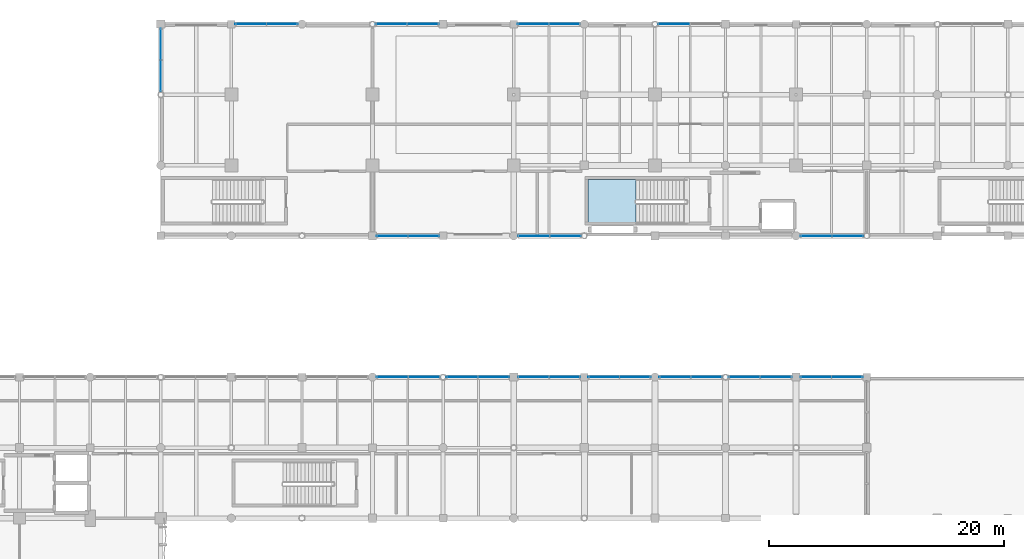
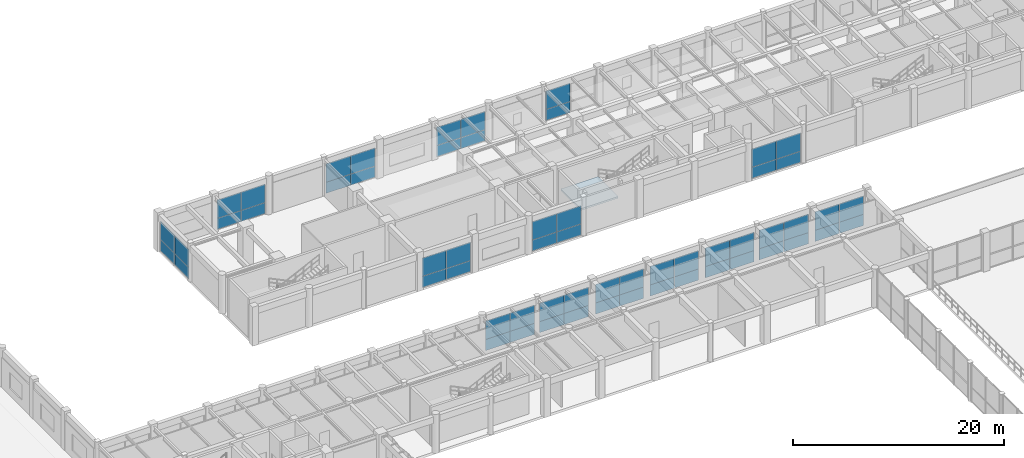
# One storey, part 79 of 116: 58 plates, 1 slab, 16 elements without a shape of their own.
"""IFC4 building model written with IfcOpenShell, lengths in metres."""

from ifc_helpers import new_model, si_unit, direction, frame, frame_2d, origin, place, context, subcontext, project, spatial, polyline, rectangle, outline, extrude, material, layer, layer_set, type_object, element, aggregate, save


model = new_model("IFC4")

# Units and contexts
model_context = context("Model", 3, precision=1e-05, world=origin(), true_north=direction((0.0, 1.0)))
body_context = subcontext(model_context, "Body", "Model", "MODEL_VIEW")
ifc_project = project(units=[si_unit("LENGTHUNIT", "METRE"), si_unit("AREAUNIT", "SQUARE_METRE"), si_unit("VOLUMEUNIT", "CUBIC_METRE"), si_unit("PLANEANGLEUNIT", "RADIAN"), si_unit("MASSUNIT", "GRAM", prefix="KILO"), si_unit("THERMODYNAMICTEMPERATUREUNIT", "KELVIN"), si_unit("POWERUNIT", "WATT")], contexts=[model_context])

# Site, building, storey
site_placement = place(None, origin())
site = spatial("IfcSite", under=ifc_project, at=site_placement, CompositionType="ELEMENT")
building_placement = place(site_placement, origin())
building = spatial("IfcBuilding", under=site, at=building_placement, Name="Phaisarnlok Congress Hotel", CompositionType="ELEMENT")
storey_placement = place(building_placement, frame((0.0, 0.0, 10.5)))
storey = spatial("IfcBuildingStorey", under=building, at=storey_placement, Name="L02", CompositionType="ELEMENT", Elevation=10.5)

# Curtain wall, plates
ifc_material_1 = material(Name="Thermally Broken Unitised Aluminium & Low-E Glazing", Category="aluminium")
curtain_wall_type_1 = type_object("IfcCurtainWallType", Name="CW-UNIT-16", PredefinedType="NOTDEFINED", material=ifc_material_1)
curtain_wall_1_placement = place(storey_placement, origin())
curtain_wall_1 = element("IfcCurtainWall", 1, at=curtain_wall_1_placement, inside=storey, type_object=curtain_wall_type_1, Name="Unitised curtain wall CW-16 (L02)", PredefinedType="NOTDEFINED")
ifc_material_2 = material(Name="Double Low-E Insulated Glazing", Category="glass")
ifc_layer_1 = layer(ifc_material_2, 0.028076171875, Name="Double Low-E Insulated Glazing")
ifc_layer_set_1 = layer_set([ifc_layer_1], Name="Double Low-E Insulated Glazing")
plate_type = type_object("IfcPlateType", Name="CWP-GLZ-28", PredefinedType="CURTAIN_PANEL", material=ifc_layer_set_1)
plate_1_placement = place(storey_placement, frame((125.64990234375, 96.0, 0.0400390625), z_axis=(0.0, 0.0, 1.0), x_axis=(-1.0, 0.0, 0.0)))
plate_1 = element("IfcPlate", 2, at=plate_1_placement, type_object=plate_type, Name="Glazed curtain panel CWP-01", PredefinedType="CURTAIN_PANEL", context=body_context, shape_type="SweptSolid", body=[
    extrude(rectangle(XDim=2.622314453125, YDim=0.028076171875, at=frame_2d((1.31103515625, 0.0))), origin(), (0.0, 0.0, 1.0), 1.293701171875),
])
plate_2_placement = place(storey_placement, frame((125.64990234375, 96.0, 1.333740234375), z_axis=(0.0, 0.0, 1.0), x_axis=(-1.0, 0.0, 0.0)))
plate_2 = element("IfcPlate", 3, at=plate_2_placement, type_object=plate_type, Name="Glazed curtain panel CWP-01", PredefinedType="CURTAIN_PANEL", context=body_context, shape_type="SweptSolid", body=[
    extrude(rectangle(XDim=2.622314453125, YDim=0.028076171875, at=frame_2d((1.31103515625, 0.0))), origin(), (0.0, 0.0, 1.0), 2.13623046875),
])
plate_3_placement = place(storey_placement, frame((122.99755859375, 96.0, 0.0400390625), z_axis=(0.0, 0.0, 1.0), x_axis=(-1.0, 0.0, 0.0)))
plate_3 = element("IfcPlate", 4, at=plate_3_placement, type_object=plate_type, Name="Glazed curtain panel CWP-01", PredefinedType="CURTAIN_PANEL", context=body_context, shape_type="SweptSolid", body=[
    extrude(rectangle(XDim=2.62255859375, YDim=0.028076171875, at=frame_2d((1.311279296875, 0.0))), origin(), (0.0, 0.0, 1.0), 1.293701171875),
])
plate_4_placement = place(storey_placement, frame((122.99755859375, 96.0, 1.333740234375), z_axis=(0.0, 0.0, 1.0), x_axis=(-1.0, 0.0, 0.0)))
plate_4 = element("IfcPlate", 5, at=plate_4_placement, type_object=plate_type, Name="Glazed curtain panel CWP-01", PredefinedType="CURTAIN_PANEL", context=body_context, shape_type="SweptSolid", body=[
    extrude(rectangle(XDim=2.62255859375, YDim=0.028076171875, at=frame_2d((1.311279296875, 0.0))), origin(), (0.0, 0.0, 1.0), 2.13623046875),
])
aggregate(curtain_wall_1, [plate_1, plate_2, plate_3, plate_4])

curtain_wall_type_2 = type_object("IfcCurtainWallType", Name="CW-UNIT-17", PredefinedType="NOTDEFINED", material=ifc_material_1)
curtain_wall_2_placement = place(storey_placement, origin())
curtain_wall_2 = element("IfcCurtainWall", 6, at=curtain_wall_2_placement, inside=storey, type_object=curtain_wall_type_2, Name="Unitised curtain wall CW-17 (L02)", PredefinedType="NOTDEFINED")
plate_5_placement = place(storey_placement, frame((119.625, 96.0, 0.0400390625), z_axis=(0.0, 0.0, 1.0), x_axis=(-1.0, 0.0, 0.0)))
plate_5 = element("IfcPlate", 7, at=plate_5_placement, type_object=plate_type, Name="Glazed curtain panel CWP-01", PredefinedType="CURTAIN_PANEL", context=body_context, shape_type="SweptSolid", body=[
    extrude(rectangle(XDim=2.657958984375, YDim=0.028076171875, at=frame_2d((1.3291015625, 0.0))), origin(), (0.0, 0.0, 1.0), 1.293701171875),
])
plate_6_placement = place(storey_placement, frame((119.625, 96.0, 1.333740234375), z_axis=(0.0, 0.0, 1.0), x_axis=(-1.0, 0.0, 0.0)))
plate_6 = element("IfcPlate", 8, at=plate_6_placement, type_object=plate_type, Name="Glazed curtain panel CWP-01", PredefinedType="CURTAIN_PANEL", context=body_context, shape_type="SweptSolid", body=[
    extrude(rectangle(XDim=2.657958984375, YDim=0.028076171875, at=frame_2d((1.3291015625, 0.0))), origin(), (0.0, 0.0, 1.0), 2.13623046875),
])
plate_7_placement = place(storey_placement, frame((116.93701171875, 96.0, 0.0400390625), z_axis=(0.0, 0.0, 1.0), x_axis=(-1.0, 0.0, 0.0)))
plate_7 = element("IfcPlate", 9, at=plate_7_placement, type_object=plate_type, Name="Glazed curtain panel CWP-01", PredefinedType="CURTAIN_PANEL", context=body_context, shape_type="SweptSolid", body=[
    extrude(rectangle(XDim=2.657958984375, YDim=0.028076171875, at=frame_2d((1.3291015625, 0.0))), origin(), (0.0, 0.0, 1.0), 1.293701171875),
])
plate_8_placement = place(storey_placement, frame((116.93701171875, 96.0, 1.333740234375), z_axis=(0.0, 0.0, 1.0), x_axis=(-1.0, 0.0, 0.0)))
plate_8 = element("IfcPlate", 10, at=plate_8_placement, type_object=plate_type, Name="Glazed curtain panel CWP-01", PredefinedType="CURTAIN_PANEL", context=body_context, shape_type="SweptSolid", body=[
    extrude(rectangle(XDim=2.657958984375, YDim=0.028076171875, at=frame_2d((1.3291015625, 0.0))), origin(), (0.0, 0.0, 1.0), 2.13623046875),
])
aggregate(curtain_wall_2, [plate_5, plate_6, plate_7, plate_8])

curtain_wall_3_placement = place(storey_placement, origin())
curtain_wall_3 = element("IfcCurtainWall", 11, at=curtain_wall_3_placement, inside=storey, type_object=curtain_wall_type_2, Name="Unitised curtain wall CW-17 (L02)", PredefinedType="NOTDEFINED")
plate_9_placement = place(storey_placement, frame((113.720947265625, 96.0, 0.0400390625), z_axis=(0.0, 0.0, 1.0), x_axis=(-1.0, 0.0, 0.0)))
plate_9 = element("IfcPlate", 12, at=plate_9_placement, type_object=plate_type, Name="Glazed curtain panel CWP-01", PredefinedType="CURTAIN_PANEL", context=body_context, shape_type="SweptSolid", body=[
    extrude(rectangle(XDim=2.657958984375, YDim=0.028076171875, at=frame_2d((1.3291015625, 0.0))), origin(), (0.0, 0.0, 1.0), 1.293701171875),
])
plate_10_placement = place(storey_placement, frame((113.720947265625, 96.0, 1.333740234375), z_axis=(0.0, 0.0, 1.0), x_axis=(-1.0, 0.0, 0.0)))
plate_10 = element("IfcPlate", 13, at=plate_10_placement, type_object=plate_type, Name="Glazed curtain panel CWP-01", PredefinedType="CURTAIN_PANEL", context=body_context, shape_type="SweptSolid", body=[
    extrude(rectangle(XDim=2.657958984375, YDim=0.028076171875, at=frame_2d((1.3291015625, 0.0))), origin(), (0.0, 0.0, 1.0), 2.13623046875),
])
plate_11_placement = place(storey_placement, frame((111.032958984375, 96.0, 0.0400390625), z_axis=(0.0, 0.0, 1.0), x_axis=(-1.0, 0.0, 0.0)))
plate_11 = element("IfcPlate", 14, at=plate_11_placement, type_object=plate_type, Name="Glazed curtain panel CWP-01", PredefinedType="CURTAIN_PANEL", context=body_context, shape_type="SweptSolid", body=[
    extrude(rectangle(XDim=2.657958984375, YDim=0.028076171875, at=frame_2d((1.3291015625, 0.0))), origin(), (0.0, 0.0, 1.0), 1.293701171875),
])
plate_12_placement = place(storey_placement, frame((111.032958984375, 96.0, 1.333740234375), z_axis=(0.0, 0.0, 1.0), x_axis=(-1.0, 0.0, 0.0)))
plate_12 = element("IfcPlate", 15, at=plate_12_placement, type_object=plate_type, Name="Glazed curtain panel CWP-01", PredefinedType="CURTAIN_PANEL", context=body_context, shape_type="SweptSolid", body=[
    extrude(rectangle(XDim=2.657958984375, YDim=0.028076171875, at=frame_2d((1.3291015625, 0.0))), origin(), (0.0, 0.0, 1.0), 2.13623046875),
])
aggregate(curtain_wall_3, [plate_9, plate_10, plate_11, plate_12])

curtain_wall_4_placement = place(storey_placement, origin())
curtain_wall_4 = element("IfcCurtainWall", 16, at=curtain_wall_4_placement, inside=storey, type_object=curtain_wall_type_1, Name="Unitised curtain wall CW-16 (L02)", PredefinedType="NOTDEFINED")
plate_13_placement = place(storey_placement, frame((107.625, 96.0, 0.0400390625), z_axis=(0.0, 0.0, 1.0), x_axis=(-1.0, 0.0, 0.0)))
plate_13 = element("IfcPlate", 17, at=plate_13_placement, type_object=plate_type, Name="Glazed curtain panel CWP-01", PredefinedType="CURTAIN_PANEL", context=body_context, shape_type="SweptSolid", body=[
    extrude(rectangle(XDim=2.62255859375, YDim=0.028076171875, at=frame_2d((1.311279296875, 0.0))), origin(), (0.0, 0.0, 1.0), 1.293701171875),
])
plate_14_placement = place(storey_placement, frame((107.625, 96.0, 1.333740234375), z_axis=(0.0, 0.0, 1.0), x_axis=(-1.0, 0.0, 0.0)))
plate_14 = element("IfcPlate", 18, at=plate_14_placement, type_object=plate_type, Name="Glazed curtain panel CWP-01", PredefinedType="CURTAIN_PANEL", context=body_context, shape_type="SweptSolid", body=[
    extrude(rectangle(XDim=2.62255859375, YDim=0.028076171875, at=frame_2d((1.311279296875, 0.0))), origin(), (0.0, 0.0, 1.0), 2.13623046875),
])
plate_15_placement = place(storey_placement, frame((104.972412109375, 96.0, 0.0400390625), z_axis=(0.0, 0.0, 1.0), x_axis=(-1.0, 0.0, 0.0)))
plate_15 = element("IfcPlate", 19, at=plate_15_placement, type_object=plate_type, Name="Glazed curtain panel CWP-01", PredefinedType="CURTAIN_PANEL", context=body_context, shape_type="SweptSolid", body=[
    extrude(rectangle(XDim=2.622314453125, YDim=0.028076171875, at=frame_2d((1.31103515625, 0.0))), origin(), (0.0, 0.0, 1.0), 1.293701171875),
])
plate_16_placement = place(storey_placement, frame((104.972412109375, 96.0, 1.333740234375), z_axis=(0.0, 0.0, 1.0), x_axis=(-1.0, 0.0, 0.0)))
plate_16 = element("IfcPlate", 20, at=plate_16_placement, type_object=plate_type, Name="Glazed curtain panel CWP-01", PredefinedType="CURTAIN_PANEL", context=body_context, shape_type="SweptSolid", body=[
    extrude(rectangle(XDim=2.622314453125, YDim=0.028076171875, at=frame_2d((1.31103515625, 0.0))), origin(), (0.0, 0.0, 1.0), 2.13623046875),
])
aggregate(curtain_wall_4, [plate_13, plate_14, plate_15, plate_16])

curtain_wall_5_placement = place(storey_placement, origin())
curtain_wall_5 = element("IfcCurtainWall", 21, at=curtain_wall_5_placement, inside=storey, type_object=curtain_wall_type_1, Name="Unitised curtain wall CW-16 (L02)", PredefinedType="NOTDEFINED")
plate_17_placement = place(storey_placement, frame((101.64990234375, 96.0, 0.0400390625), z_axis=(0.0, 0.0, 1.0), x_axis=(-1.0, 0.0, 0.0)))
plate_17 = element("IfcPlate", 22, at=plate_17_placement, type_object=plate_type, Name="Glazed curtain panel CWP-01", PredefinedType="CURTAIN_PANEL", context=body_context, shape_type="SweptSolid", body=[
    extrude(rectangle(XDim=2.622314453125, YDim=0.028076171875, at=frame_2d((1.31103515625, 0.0))), origin(), (0.0, 0.0, 1.0), 1.293701171875),
])
plate_18_placement = place(storey_placement, frame((101.64990234375, 96.0, 1.333740234375), z_axis=(0.0, 0.0, 1.0), x_axis=(-1.0, 0.0, 0.0)))
plate_18 = element("IfcPlate", 23, at=plate_18_placement, type_object=plate_type, Name="Glazed curtain panel CWP-01", PredefinedType="CURTAIN_PANEL", context=body_context, shape_type="SweptSolid", body=[
    extrude(rectangle(XDim=2.622314453125, YDim=0.028076171875, at=frame_2d((1.31103515625, 0.0))), origin(), (0.0, 0.0, 1.0), 2.13623046875),
])
plate_19_placement = place(storey_placement, frame((98.99755859375, 96.0, 0.0400390625), z_axis=(0.0, 0.0, 1.0), x_axis=(-1.0, 0.0, 0.0)))
plate_19 = element("IfcPlate", 24, at=plate_19_placement, type_object=plate_type, Name="Glazed curtain panel CWP-01", PredefinedType="CURTAIN_PANEL", context=body_context, shape_type="SweptSolid", body=[
    extrude(rectangle(XDim=2.62255859375, YDim=0.028076171875, at=frame_2d((1.311279296875, 0.0))), origin(), (0.0, 0.0, 1.0), 1.293701171875),
])
plate_20_placement = place(storey_placement, frame((98.99755859375, 96.0, 1.333740234375), z_axis=(0.0, 0.0, 1.0), x_axis=(-1.0, 0.0, 0.0)))
plate_20 = element("IfcPlate", 25, at=plate_20_placement, type_object=plate_type, Name="Glazed curtain panel CWP-01", PredefinedType="CURTAIN_PANEL", context=body_context, shape_type="SweptSolid", body=[
    extrude(rectangle(XDim=2.62255859375, YDim=0.028076171875, at=frame_2d((1.311279296875, 0.0))), origin(), (0.0, 0.0, 1.0), 2.13623046875),
])
aggregate(curtain_wall_5, [plate_17, plate_18, plate_19, plate_20])

curtain_wall_6_placement = place(storey_placement, origin())
curtain_wall_6 = element("IfcCurtainWall", 26, at=curtain_wall_6_placement, inside=storey, type_object=curtain_wall_type_2, Name="Unitised curtain wall CW-17 (L02)", PredefinedType="NOTDEFINED")
plate_21_placement = place(storey_placement, frame((95.625, 96.0, 0.0400390625), z_axis=(0.0, 0.0, 1.0), x_axis=(-1.0, 0.0, 0.0)))
plate_21 = element("IfcPlate", 27, at=plate_21_placement, type_object=plate_type, Name="Glazed curtain panel CWP-01", PredefinedType="CURTAIN_PANEL", context=body_context, shape_type="SweptSolid", body=[
    extrude(rectangle(XDim=2.657958984375, YDim=0.028076171875, at=frame_2d((1.3291015625, 0.0))), origin(), (0.0, 0.0, 1.0), 1.2861328125),
])
plate_22_placement = place(storey_placement, frame((95.625, 96.0, 1.326171875), z_axis=(0.0, 0.0, 1.0), x_axis=(-1.0, 0.0, 0.0)))
plate_22 = element("IfcPlate", 28, at=plate_22_placement, type_object=plate_type, Name="Glazed curtain panel CWP-01", PredefinedType="CURTAIN_PANEL", context=body_context, shape_type="SweptSolid", body=[
    extrude(rectangle(XDim=2.657958984375, YDim=0.028076171875, at=frame_2d((1.3291015625, 0.0))), origin(), (0.0, 0.0, 1.0), 2.123779296875),
])
plate_23_placement = place(storey_placement, frame((92.93701171875, 96.0, 0.0400390625), z_axis=(0.0, 0.0, 1.0), x_axis=(-1.0, 0.0, 0.0)))
plate_23 = element("IfcPlate", 29, at=plate_23_placement, type_object=plate_type, Name="Glazed curtain panel CWP-01", PredefinedType="CURTAIN_PANEL", context=body_context, shape_type="SweptSolid", body=[
    extrude(rectangle(XDim=2.657958984375, YDim=0.028076171875, at=frame_2d((1.3291015625, 0.0))), origin(), (0.0, 0.0, 1.0), 1.2861328125),
])
plate_24_placement = place(storey_placement, frame((92.93701171875, 96.0, 1.326171875), z_axis=(0.0, 0.0, 1.0), x_axis=(-1.0, 0.0, 0.0)))
plate_24 = element("IfcPlate", 30, at=plate_24_placement, type_object=plate_type, Name="Glazed curtain panel CWP-01", PredefinedType="CURTAIN_PANEL", context=body_context, shape_type="SweptSolid", body=[
    extrude(rectangle(XDim=2.657958984375, YDim=0.028076171875, at=frame_2d((1.3291015625, 0.0))), origin(), (0.0, 0.0, 1.0), 2.123779296875),
])
aggregate(curtain_wall_6, [plate_21, plate_22, plate_23, plate_24])

curtain_wall_7_placement = place(storey_placement, origin())
curtain_wall_7 = element("IfcCurtainWall", 31, at=curtain_wall_7_placement, inside=storey, type_object=curtain_wall_type_2, Name="Unitised curtain wall CW-17 (L02)", PredefinedType="NOTDEFINED")
plate_25_placement = place(storey_placement, frame((89.720947265625, 96.0, 0.0400390625), z_axis=(0.0, 0.0, 1.0), x_axis=(-1.0, 0.0, 0.0)))
plate_25 = element("IfcPlate", 32, at=plate_25_placement, type_object=plate_type, Name="Glazed curtain panel CWP-01", PredefinedType="CURTAIN_PANEL", context=body_context, shape_type="SweptSolid", body=[
    extrude(rectangle(XDim=2.657958984375, YDim=0.028076171875, at=frame_2d((1.3291015625, 0.0))), origin(), (0.0, 0.0, 1.0), 1.2861328125),
])
plate_26_placement = place(storey_placement, frame((89.720947265625, 96.0, 1.326171875), z_axis=(0.0, 0.0, 1.0), x_axis=(-1.0, 0.0, 0.0)))
plate_26 = element("IfcPlate", 33, at=plate_26_placement, type_object=plate_type, Name="Glazed curtain panel CWP-01", PredefinedType="CURTAIN_PANEL", context=body_context, shape_type="SweptSolid", body=[
    extrude(rectangle(XDim=2.657958984375, YDim=0.028076171875, at=frame_2d((1.3291015625, 0.0))), origin(), (0.0, 0.0, 1.0), 2.123779296875),
])
plate_27_placement = place(storey_placement, frame((87.032958984375, 96.0, 0.0400390625), z_axis=(0.0, 0.0, 1.0), x_axis=(-1.0, 0.0, 0.0)))
plate_27 = element("IfcPlate", 34, at=plate_27_placement, type_object=plate_type, Name="Glazed curtain panel CWP-01", PredefinedType="CURTAIN_PANEL", context=body_context, shape_type="SweptSolid", body=[
    extrude(rectangle(XDim=2.657958984375, YDim=0.028076171875, at=frame_2d((1.3291015625, 0.0))), origin(), (0.0, 0.0, 1.0), 1.2861328125),
])
plate_28_placement = place(storey_placement, frame((87.032958984375, 96.0, 1.326171875), z_axis=(0.0, 0.0, 1.0), x_axis=(-1.0, 0.0, 0.0)))
plate_28 = element("IfcPlate", 35, at=plate_28_placement, type_object=plate_type, Name="Glazed curtain panel CWP-01", PredefinedType="CURTAIN_PANEL", context=body_context, shape_type="SweptSolid", body=[
    extrude(rectangle(XDim=2.657958984375, YDim=0.028076171875, at=frame_2d((1.3291015625, 0.0))), origin(), (0.0, 0.0, 1.0), 2.123779296875),
])
aggregate(curtain_wall_7, [plate_25, plate_26, plate_27, plate_28])

curtain_wall_8_placement = place(storey_placement, origin())
curtain_wall_8 = element("IfcCurtainWall", 36, at=curtain_wall_8_placement, inside=storey, type_object=curtain_wall_type_1, Name="Unitised curtain wall CW-16 (L02)", PredefinedType="NOTDEFINED")
plate_29_placement = place(storey_placement, frame((84.375, 108.0, 0.0400390625), z_axis=(0.0, 0.0, 1.0), x_axis=(1.0, 0.0, 0.0)))
plate_29 = element("IfcPlate", 37, at=plate_29_placement, type_object=plate_type, Name="Glazed curtain panel CWP-01", PredefinedType="CURTAIN_PANEL", context=body_context, shape_type="SweptSolid", body=[
    extrude(rectangle(XDim=2.62255859375, YDim=0.028076171875, at=frame_2d((1.311279296875, 0.0))), origin(), (0.0, 0.0, 1.0), 1.2861328125),
])
plate_30_placement = place(storey_placement, frame((84.375, 108.0, 1.326171875), z_axis=(0.0, 0.0, 1.0), x_axis=(1.0, 0.0, 0.0)))
plate_30 = element("IfcPlate", 38, at=plate_30_placement, type_object=plate_type, Name="Glazed curtain panel CWP-01", PredefinedType="CURTAIN_PANEL", context=body_context, shape_type="SweptSolid", body=[
    extrude(rectangle(XDim=2.62255859375, YDim=0.028076171875, at=frame_2d((1.311279296875, 0.0))), origin(), (0.0, 0.0, 1.0), 2.123779296875),
])
plate_31_placement = place(storey_placement, frame((87.027587890625, 108.0, 0.0400390625), z_axis=(0.0, 0.0, 1.0), x_axis=(1.0, 0.0, 0.0)))
plate_31 = element("IfcPlate", 39, at=plate_31_placement, type_object=plate_type, Name="Glazed curtain panel CWP-01", PredefinedType="CURTAIN_PANEL", context=body_context, shape_type="SweptSolid", body=[
    extrude(rectangle(XDim=2.622314453125, YDim=0.028076171875, at=frame_2d((1.31103515625, 0.0))), origin(), (0.0, 0.0, 1.0), 1.2861328125),
])
plate_32_placement = place(storey_placement, frame((87.027587890625, 108.0, 1.326171875), z_axis=(0.0, 0.0, 1.0), x_axis=(1.0, 0.0, 0.0)))
plate_32 = element("IfcPlate", 40, at=plate_32_placement, type_object=plate_type, Name="Glazed curtain panel CWP-01", PredefinedType="CURTAIN_PANEL", context=body_context, shape_type="SweptSolid", body=[
    extrude(rectangle(XDim=2.622314453125, YDim=0.028076171875, at=frame_2d((1.31103515625, 0.0))), origin(), (0.0, 0.0, 1.0), 2.123779296875),
])
aggregate(curtain_wall_8, [plate_29, plate_30, plate_31, plate_32])

curtain_wall_9_placement = place(storey_placement, origin())
curtain_wall_9 = element("IfcCurtainWall", 41, at=curtain_wall_9_placement, inside=storey, type_object=curtain_wall_type_2, Name="Unitised curtain wall CW-17 (L02)", PredefinedType="NOTDEFINED")
plate_33_placement = place(storey_placement, frame((96.375, 108.0, 0.0400390625), z_axis=(0.0, 0.0, 1.0), x_axis=(1.0, 0.0, 0.0)))
plate_33 = element("IfcPlate", 42, at=plate_33_placement, type_object=plate_type, Name="Glazed curtain panel CWP-01", PredefinedType="CURTAIN_PANEL", context=body_context, shape_type="SweptSolid", body=[
    extrude(rectangle(XDim=2.657958984375, YDim=0.028076171875, at=frame_2d((1.3291015625, 0.0))), origin(), (0.0, 0.0, 1.0), 1.2861328125),
])
plate_34_placement = place(storey_placement, frame((96.375, 108.0, 1.326171875), z_axis=(0.0, 0.0, 1.0), x_axis=(1.0, 0.0, 0.0)))
plate_34 = element("IfcPlate", 43, at=plate_34_placement, type_object=plate_type, Name="Glazed curtain panel CWP-01", PredefinedType="CURTAIN_PANEL", context=body_context, shape_type="SweptSolid", body=[
    extrude(rectangle(XDim=2.657958984375, YDim=0.028076171875, at=frame_2d((1.3291015625, 0.0))), origin(), (0.0, 0.0, 1.0), 2.123779296875),
])
plate_35_placement = place(storey_placement, frame((99.06298828125, 108.0, 0.0400390625), z_axis=(0.0, 0.0, 1.0), x_axis=(1.0, 0.0, 0.0)))
plate_35 = element("IfcPlate", 44, at=plate_35_placement, type_object=plate_type, Name="Glazed curtain panel CWP-01", PredefinedType="CURTAIN_PANEL", context=body_context, shape_type="SweptSolid", body=[
    extrude(rectangle(XDim=2.657958984375, YDim=0.028076171875, at=frame_2d((1.3291015625, 0.0))), origin(), (0.0, 0.0, 1.0), 1.2861328125),
])
plate_36_placement = place(storey_placement, frame((99.06298828125, 108.0, 1.326171875), z_axis=(0.0, 0.0, 1.0), x_axis=(1.0, 0.0, 0.0)))
plate_36 = element("IfcPlate", 45, at=plate_36_placement, type_object=plate_type, Name="Glazed curtain panel CWP-01", PredefinedType="CURTAIN_PANEL", context=body_context, shape_type="SweptSolid", body=[
    extrude(rectangle(XDim=2.657958984375, YDim=0.028076171875, at=frame_2d((1.3291015625, 0.0))), origin(), (0.0, 0.0, 1.0), 2.123779296875),
])
aggregate(curtain_wall_9, [plate_33, plate_34, plate_35, plate_36])

curtain_wall_10_placement = place(storey_placement, origin())
curtain_wall_10 = element("IfcCurtainWall", 46, at=curtain_wall_10_placement, inside=storey, type_object=curtain_wall_type_2, Name="Unitised curtain wall CW-17 (L02)", PredefinedType="NOTDEFINED")
plate_37_placement = place(storey_placement, frame((120.375, 108.0, 0.0400390625), z_axis=(0.0, 0.0, 1.0), x_axis=(1.0, 0.0, 0.0)))
plate_37 = element("IfcPlate", 47, at=plate_37_placement, type_object=plate_type, Name="Glazed curtain panel CWP-01", PredefinedType="CURTAIN_PANEL", context=body_context, shape_type="SweptSolid", body=[
    extrude(rectangle(XDim=2.657958984375, YDim=0.028076171875, at=frame_2d((1.3291015625, 0.0))), origin(), (0.0, 0.0, 1.0), 1.2861328125),
])
plate_38_placement = place(storey_placement, frame((120.375, 108.0, 1.326171875), z_axis=(0.0, 0.0, 1.0), x_axis=(1.0, 0.0, 0.0)))
plate_38 = element("IfcPlate", 48, at=plate_38_placement, type_object=plate_type, Name="Glazed curtain panel CWP-01", PredefinedType="CURTAIN_PANEL", context=body_context, shape_type="SweptSolid", body=[
    extrude(rectangle(XDim=2.657958984375, YDim=0.028076171875, at=frame_2d((1.3291015625, 0.0))), origin(), (0.0, 0.0, 1.0), 2.123779296875),
])
plate_39_placement = place(storey_placement, frame((123.06298828125, 108.0, 0.0400390625), z_axis=(0.0, 0.0, 1.0), x_axis=(1.0, 0.0, 0.0)))
plate_39 = element("IfcPlate", 49, at=plate_39_placement, type_object=plate_type, Name="Glazed curtain panel CWP-01", PredefinedType="CURTAIN_PANEL", context=body_context, shape_type="SweptSolid", body=[
    extrude(rectangle(XDim=2.657958984375, YDim=0.028076171875, at=frame_2d((1.3291015625, 0.0))), origin(), (0.0, 0.0, 1.0), 1.2861328125),
])
plate_40_placement = place(storey_placement, frame((123.06298828125, 108.0, 1.326171875), z_axis=(0.0, 0.0, 1.0), x_axis=(1.0, 0.0, 0.0)))
plate_40 = element("IfcPlate", 50, at=plate_40_placement, type_object=plate_type, Name="Glazed curtain panel CWP-01", PredefinedType="CURTAIN_PANEL", context=body_context, shape_type="SweptSolid", body=[
    extrude(rectangle(XDim=2.657958984375, YDim=0.028076171875, at=frame_2d((1.3291015625, 0.0))), origin(), (0.0, 0.0, 1.0), 2.123779296875),
])
aggregate(curtain_wall_10, [plate_37, plate_38, plate_39, plate_40])

curtain_wall_11_placement = place(storey_placement, origin())
curtain_wall_11 = element("IfcCurtainWall", 51, at=curtain_wall_11_placement, inside=storey, type_object=curtain_wall_type_2, Name="Unitised curtain wall CW-17 (L02)", PredefinedType="NOTDEFINED")
plate_41_placement = place(storey_placement, frame((110.93701171875, 126.0, 0.0400390625), z_axis=(0.0, 0.0, 1.0), x_axis=(-1.0, 0.0, 0.0)))
plate_41 = element("IfcPlate", 52, at=plate_41_placement, type_object=plate_type, Name="Glazed curtain panel CWP-01", PredefinedType="CURTAIN_PANEL", context=body_context, shape_type="SweptSolid", body=[
    extrude(rectangle(XDim=2.657958984375, YDim=0.028076171875, at=frame_2d((1.3291015625, 0.0))), origin(), (0.0, 0.0, 1.0), 1.2861328125),
])
plate_42_placement = place(storey_placement, frame((110.93701171875, 126.0, 1.326171875), z_axis=(0.0, 0.0, 1.0), x_axis=(-1.0, 0.0, 0.0)))
plate_42 = element("IfcPlate", 53, at=plate_42_placement, type_object=plate_type, Name="Glazed curtain panel CWP-01", PredefinedType="CURTAIN_PANEL", context=body_context, shape_type="SweptSolid", body=[
    extrude(rectangle(XDim=2.657958984375, YDim=0.028076171875, at=frame_2d((1.3291015625, 0.0))), origin(), (0.0, 0.0, 1.0), 2.123779296875),
])
aggregate(curtain_wall_11, [plate_41, plate_42])

curtain_wall_12_placement = place(storey_placement, origin())
curtain_wall_12 = element("IfcCurtainWall", 54, at=curtain_wall_12_placement, inside=storey, type_object=curtain_wall_type_1, Name="Unitised curtain wall CW-16 (L02)", PredefinedType="NOTDEFINED")
plate_43_placement = place(storey_placement, frame((101.625, 126.0, 0.0400390625), z_axis=(0.0, 0.0, 1.0), x_axis=(-1.0, 0.0, 0.0)))
plate_43 = element("IfcPlate", 55, at=plate_43_placement, type_object=plate_type, Name="Glazed curtain panel CWP-01", PredefinedType="CURTAIN_PANEL", context=body_context, shape_type="SweptSolid", body=[
    extrude(rectangle(XDim=2.62255859375, YDim=0.028076171875, at=frame_2d((1.311279296875, 0.0))), origin(), (0.0, 0.0, 1.0), 1.2861328125),
])
plate_44_placement = place(storey_placement, frame((101.625, 126.0, 1.326171875), z_axis=(0.0, 0.0, 1.0), x_axis=(-1.0, 0.0, 0.0)))
plate_44 = element("IfcPlate", 56, at=plate_44_placement, type_object=plate_type, Name="Glazed curtain panel CWP-01", PredefinedType="CURTAIN_PANEL", context=body_context, shape_type="SweptSolid", body=[
    extrude(rectangle(XDim=2.62255859375, YDim=0.028076171875, at=frame_2d((1.311279296875, 0.0))), origin(), (0.0, 0.0, 1.0), 2.123779296875),
])
plate_45_placement = place(storey_placement, frame((98.972412109375, 126.0, 0.0400390625), z_axis=(0.0, 0.0, 1.0), x_axis=(-1.0, 0.0, 0.0)))
plate_45 = element("IfcPlate", 57, at=plate_45_placement, type_object=plate_type, Name="Glazed curtain panel CWP-01", PredefinedType="CURTAIN_PANEL", context=body_context, shape_type="SweptSolid", body=[
    extrude(rectangle(XDim=2.622314453125, YDim=0.028076171875, at=frame_2d((1.31103515625, 0.0))), origin(), (0.0, 0.0, 1.0), 1.2861328125),
])
plate_46_placement = place(storey_placement, frame((98.972412109375, 126.0, 1.326171875), z_axis=(0.0, 0.0, 1.0), x_axis=(-1.0, 0.0, 0.0)))
plate_46 = element("IfcPlate", 58, at=plate_46_placement, type_object=plate_type, Name="Glazed curtain panel CWP-01", PredefinedType="CURTAIN_PANEL", context=body_context, shape_type="SweptSolid", body=[
    extrude(rectangle(XDim=2.622314453125, YDim=0.028076171875, at=frame_2d((1.31103515625, 0.0))), origin(), (0.0, 0.0, 1.0), 2.123779296875),
])
aggregate(curtain_wall_12, [plate_43, plate_44, plate_45, plate_46])

curtain_wall_13_placement = place(storey_placement, origin())
curtain_wall_13 = element("IfcCurtainWall", 59, at=curtain_wall_13_placement, inside=storey, type_object=curtain_wall_type_2, Name="Unitised curtain wall CW-17 (L02)", PredefinedType="NOTDEFINED")
plate_47_placement = place(storey_placement, frame((89.625, 126.0, 0.0400390625), z_axis=(0.0, 0.0, 1.0), x_axis=(-1.0, 0.0, 0.0)))
plate_47 = element("IfcPlate", 60, at=plate_47_placement, type_object=plate_type, Name="Glazed curtain panel CWP-01", PredefinedType="CURTAIN_PANEL", context=body_context, shape_type="SweptSolid", body=[
    extrude(rectangle(XDim=2.657958984375, YDim=0.028076171875, at=frame_2d((1.3291015625, 0.0))), origin(), (0.0, 0.0, 1.0), 1.2861328125),
])
plate_48_placement = place(storey_placement, frame((89.625, 126.0, 1.326171875), z_axis=(0.0, 0.0, 1.0), x_axis=(-1.0, 0.0, 0.0)))
plate_48 = element("IfcPlate", 61, at=plate_48_placement, type_object=plate_type, Name="Glazed curtain panel CWP-01", PredefinedType="CURTAIN_PANEL", context=body_context, shape_type="SweptSolid", body=[
    extrude(rectangle(XDim=2.657958984375, YDim=0.028076171875, at=frame_2d((1.3291015625, 0.0))), origin(), (0.0, 0.0, 1.0), 2.123779296875),
])
plate_49_placement = place(storey_placement, frame((86.93701171875, 126.0, 0.0400390625), z_axis=(0.0, 0.0, 1.0), x_axis=(-1.0, 0.0, 0.0)))
plate_49 = element("IfcPlate", 62, at=plate_49_placement, type_object=plate_type, Name="Glazed curtain panel CWP-01", PredefinedType="CURTAIN_PANEL", context=body_context, shape_type="SweptSolid", body=[
    extrude(rectangle(XDim=2.657958984375, YDim=0.028076171875, at=frame_2d((1.3291015625, 0.0))), origin(), (0.0, 0.0, 1.0), 1.2861328125),
])
plate_50_placement = place(storey_placement, frame((86.93701171875, 126.0, 1.326171875), z_axis=(0.0, 0.0, 1.0), x_axis=(-1.0, 0.0, 0.0)))
plate_50 = element("IfcPlate", 63, at=plate_50_placement, type_object=plate_type, Name="Glazed curtain panel CWP-01", PredefinedType="CURTAIN_PANEL", context=body_context, shape_type="SweptSolid", body=[
    extrude(rectangle(XDim=2.657958984375, YDim=0.028076171875, at=frame_2d((1.3291015625, 0.0))), origin(), (0.0, 0.0, 1.0), 2.123779296875),
])
aggregate(curtain_wall_13, [plate_47, plate_48, plate_49, plate_50])

curtain_wall_14_placement = place(storey_placement, origin())
curtain_wall_14 = element("IfcCurtainWall", 64, at=curtain_wall_14_placement, inside=storey, type_object=curtain_wall_type_1, Name="Unitised curtain wall CW-16 (L02)", PredefinedType="NOTDEFINED")
plate_51_placement = place(storey_placement, frame((77.625, 126.0, 0.0400390625), z_axis=(0.0, 0.0, 1.0), x_axis=(-1.0, 0.0, 0.0)))
plate_51 = element("IfcPlate", 65, at=plate_51_placement, type_object=plate_type, Name="Glazed curtain panel CWP-01", PredefinedType="CURTAIN_PANEL", context=body_context, shape_type="SweptSolid", body=[
    extrude(rectangle(XDim=2.62255859375, YDim=0.028076171875, at=frame_2d((1.311279296875, 0.0))), origin(), (0.0, 0.0, 1.0), 1.2861328125),
])
plate_52_placement = place(storey_placement, frame((77.625, 126.0, 1.326171875), z_axis=(0.0, 0.0, 1.0), x_axis=(-1.0, 0.0, 0.0)))
plate_52 = element("IfcPlate", 66, at=plate_52_placement, type_object=plate_type, Name="Glazed curtain panel CWP-01", PredefinedType="CURTAIN_PANEL", context=body_context, shape_type="SweptSolid", body=[
    extrude(rectangle(XDim=2.62255859375, YDim=0.028076171875, at=frame_2d((1.311279296875, 0.0))), origin(), (0.0, 0.0, 1.0), 2.123779296875),
])
plate_53_placement = place(storey_placement, frame((74.972412109375, 126.0, 0.0400390625), z_axis=(0.0, 0.0, 1.0), x_axis=(-1.0, 0.0, 0.0)))
plate_53 = element("IfcPlate", 67, at=plate_53_placement, type_object=plate_type, Name="Glazed curtain panel CWP-01", PredefinedType="CURTAIN_PANEL", context=body_context, shape_type="SweptSolid", body=[
    extrude(rectangle(XDim=2.622314453125, YDim=0.028076171875, at=frame_2d((1.31103515625, 0.0))), origin(), (0.0, 0.0, 1.0), 1.2861328125),
])
plate_54_placement = place(storey_placement, frame((74.972412109375, 126.0, 1.326171875), z_axis=(0.0, 0.0, 1.0), x_axis=(-1.0, 0.0, 0.0)))
plate_54 = element("IfcPlate", 68, at=plate_54_placement, type_object=plate_type, Name="Glazed curtain panel CWP-01", PredefinedType="CURTAIN_PANEL", context=body_context, shape_type="SweptSolid", body=[
    extrude(rectangle(XDim=2.622314453125, YDim=0.028076171875, at=frame_2d((1.31103515625, 0.0))), origin(), (0.0, 0.0, 1.0), 2.123779296875),
])
aggregate(curtain_wall_14, [plate_51, plate_52, plate_53, plate_54])

curtain_wall_15_placement = place(storey_placement, origin())
curtain_wall_15 = element("IfcCurtainWall", 69, at=curtain_wall_15_placement, inside=storey, type_object=curtain_wall_type_2, Name="Unitised curtain wall CW-17 (L02)", PredefinedType="NOTDEFINED")
plate_55_placement = place(storey_placement, frame((66.0, 125.625, 0.0400390625), z_axis=(0.0, 0.0, 1.0), x_axis=(0.0, -1.0, 0.0)))
plate_55 = element("IfcPlate", 70, at=plate_55_placement, type_object=plate_type, Name="Glazed curtain panel CWP-01", PredefinedType="CURTAIN_PANEL", context=body_context, shape_type="SweptSolid", body=[
    extrude(rectangle(XDim=2.657958984375, YDim=0.028076171875, at=frame_2d((1.3291015625, 0.0))), origin(), (0.0, 0.0, 1.0), 1.2861328125),
])
plate_56_placement = place(storey_placement, frame((66.0, 125.625, 1.326171875), z_axis=(0.0, 0.0, 1.0), x_axis=(0.0, -1.0, 0.0)))
plate_56 = element("IfcPlate", 71, at=plate_56_placement, type_object=plate_type, Name="Glazed curtain panel CWP-01", PredefinedType="CURTAIN_PANEL", context=body_context, shape_type="SweptSolid", body=[
    extrude(rectangle(XDim=2.657958984375, YDim=0.028076171875, at=frame_2d((1.3291015625, 0.0))), origin(), (0.0, 0.0, 1.0), 2.123779296875),
])
plate_57_placement = place(storey_placement, frame((66.0, 122.93701171875, 0.0400390625), z_axis=(0.0, 0.0, 1.0), x_axis=(0.0, -1.0, 0.0)))
plate_57 = element("IfcPlate", 72, at=plate_57_placement, type_object=plate_type, Name="Glazed curtain panel CWP-01", PredefinedType="CURTAIN_PANEL", context=body_context, shape_type="SweptSolid", body=[
    extrude(rectangle(XDim=2.657958984375, YDim=0.028076171875, at=frame_2d((1.3291015625, 0.0))), origin(), (0.0, 0.0, 1.0), 1.2861328125),
])
plate_58_placement = place(storey_placement, frame((66.0, 122.93701171875, 1.326171875), z_axis=(0.0, 0.0, 1.0), x_axis=(0.0, -1.0, 0.0)))
plate_58 = element("IfcPlate", 73, at=plate_58_placement, type_object=plate_type, Name="Glazed curtain panel CWP-01", PredefinedType="CURTAIN_PANEL", context=body_context, shape_type="SweptSolid", body=[
    extrude(rectangle(XDim=2.657958984375, YDim=0.028076171875, at=frame_2d((1.3291015625, 0.0))), origin(), (0.0, 0.0, 1.0), 2.123779296875),
])
aggregate(curtain_wall_15, [plate_55, plate_56, plate_57, plate_58])

# Stair, slab
ifc_material_3 = material(Name="Concrete C40/50", Category="concrete")
stair_type = type_object("IfcStairType", Name="STR-DOG-03", PredefinedType="HALF_TURN_STAIR", material=ifc_material_3)
stair_placement = place(storey_placement, origin())
stair = element("IfcStair", 74, at=stair_placement, inside=storey, type_object=stair_type, Name="L02 ST-07", PredefinedType="HALF_TURN_STAIR")
ifc_layer_2 = layer(ifc_material_3, 0.199951171875, Name="Concrete C40/50")
ifc_layer_set_2 = layer_set([ifc_layer_2], Name="Concrete C40/50")
slab_type = type_object("IfcSlabType", Name="SLB-LND-200", PredefinedType="LANDING", material=ifc_layer_set_2)
slab_placement = place(storey_placement, frame((0.0, 0.0, 2.050048828125)))
slab = element("IfcSlab", 75, at=slab_placement, type_object=slab_type, Name="ST-07 landing 1", PredefinedType="LANDING", context=body_context, shape_type="SweptSolid", body=[
    extrude(outline(polyline([(106.3798828125, 112.800048828125), (102.300048828125, 112.800048828125), (102.300048828125, 109.0), (106.3798828125, 109.0), (106.3798828125, 112.800048828125)])), origin(), (0.0, 0.0, 1.0), 0.199951171875),
])
aggregate(stair, [slab])

save(model, "model.ifc")
